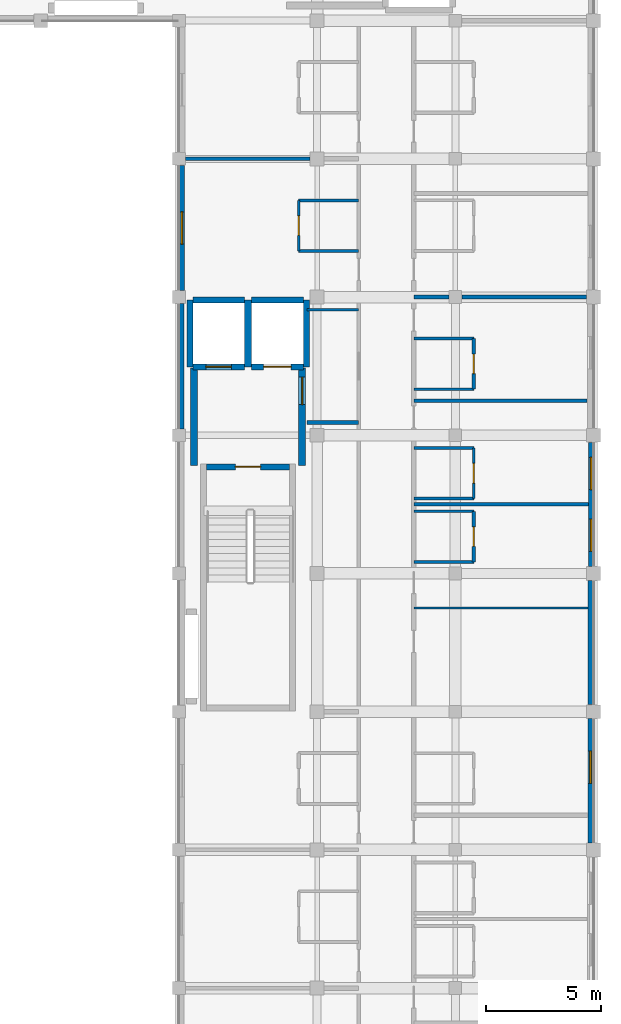
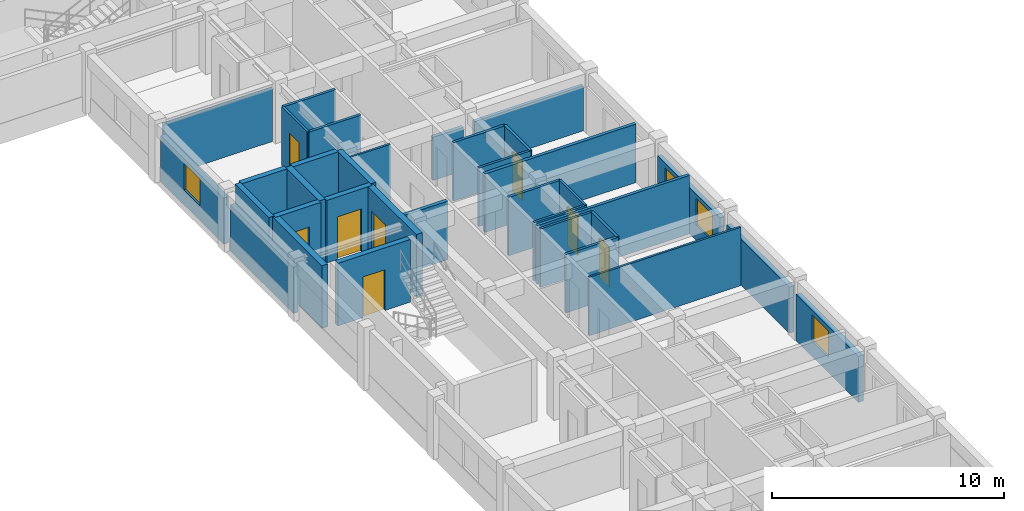
# One storey, part 7 of 22: 35 walls, 8 doors, 4 windows, 12 openings.
"""IFC4 building model written with IfcOpenShell, lengths in metres."""

from ifc_helpers import new_model, si_unit, direction, frame, frame_2d, origin, place, context, subcontext, project, spatial, rectangle, extrude, material, layer, layer_set, type_object, element, fill, save


model = new_model("IFC4")

# Units and contexts
model_context = context("Model", 3, precision=1e-05, world=origin(), true_north=direction((0.0, 1.0)))
body_context = subcontext(model_context, "Body", "Model", "MODEL_VIEW")
ifc_project = project(units=[si_unit("LENGTHUNIT", "METRE"), si_unit("AREAUNIT", "SQUARE_METRE"), si_unit("VOLUMEUNIT", "CUBIC_METRE"), si_unit("PLANEANGLEUNIT", "RADIAN"), si_unit("MASSUNIT", "GRAM", prefix="KILO"), si_unit("THERMODYNAMICTEMPERATUREUNIT", "KELVIN"), si_unit("POWERUNIT", "WATT")], contexts=[model_context])

# Site, building, storey
site_placement = place(None, origin())
site = spatial("IfcSite", under=ifc_project, at=site_placement, CompositionType="ELEMENT")
building_placement = place(site_placement, origin())
building = spatial("IfcBuilding", under=site, at=building_placement, Name="Phaisarnlok Congress Hotel", CompositionType="ELEMENT")
storey_placement = place(building_placement, frame((0.0, 0.0, 28.199951171875)))
storey = spatial("IfcBuildingStorey", under=building, at=storey_placement, Name="L06", CompositionType="ELEMENT", Elevation=28.199951171875)

# Wall, openings, windows
ifc_material_1 = material(Name="Concrete C40/50", Category="concrete")
ifc_layer_1 = layer(ifc_material_1, 0.2099609375, Name="Concrete C40/50")
ifc_layer_set_1 = layer_set([ifc_layer_1], Name="Concrete C40/50")
wall_type_1 = type_object("IfcWallType", Name="WL-EXT-210", PredefinedType="SOLIDWALL", material=ifc_layer_set_1)
wall_1_placement = place(storey_placement, frame((179.89501953125, 84.304931640625, 0.0), z_axis=(0.0, 0.0, 1.0), x_axis=(0.0, 1.0, 0.0)))
wall_1 = element("IfcWall", 1, at=wall_1_placement, inside=storey, type_object=wall_type_1, Name="Exterior wall EW-07 (L06)", PredefinedType="SOLIDWALL", context=body_context, shape_type="SweptSolid", body=[
    extrude(rectangle(XDim=5.39013671875, YDim=0.2099609375, at=frame_2d((2.695068359375, 0.0))), origin(), (0.0, 0.0, 1.0), 2.429931640625),
])
opening_1_placement = place(wall_1_placement, frame((0.656982421875, 0.0, 0.800048828125)))
opening_1 = element("IfcOpeningElement", 2, at=opening_1_placement, cuts=wall_1, Name="Opening W-13", PredefinedType="OPENING", context=body_context, shape_type="SweptSolid", body=[
    extrude(rectangle(XDim=1.39990234375, YDim=1.39990234375, at=frame_2d((0.699951171875, 0.699951171875))), frame((0.0, 0.114990234375, 0.0), z_axis=(0.0, -1.0, 0.0), x_axis=(1.0, 0.0, 0.0)), (0.0, 0.0, 1.0), 0.22998046875),
])
opening_2_placement = place(wall_1_placement, frame((3.33203125, 0.0, 0.800048828125)))
opening_2 = element("IfcOpeningElement", 3, at=opening_2_placement, cuts=wall_1, Name="Opening W-13", PredefinedType="OPENING", context=body_context, shape_type="SweptSolid", body=[
    extrude(rectangle(XDim=1.39990234375, YDim=1.39990234375, at=frame_2d((0.699951171875, 0.699951171875))), frame((0.0, 0.114990234375, 0.0), z_axis=(0.0, -1.0, 0.0), x_axis=(1.0, 0.0, 0.0)), (0.0, 0.0, 1.0), 0.22998046875),
])
ifc_material_2 = material(Name="Thermally Broken Aluminium & Low-E Double Glazing", Category="aluminium")
window_type = type_object("IfcWindowType", Name="WIN-POD-1400", PartitioningType="SINGLE_PANEL", PredefinedType="WINDOW", material=ifc_material_2)
window_1_placement = place(opening_1_placement, origin())
window_1 = element("IfcWindow", 4, at=window_1_placement, inside=storey, type_object=window_type, Name="Guestroom window W-13 (L06)", OverallHeight=1.39990234375, OverallWidth=1.39990234375, PartitioningType="SINGLE_PANEL", PredefinedType="WINDOW", context=body_context, shape_type="SweptSolid", body=[
    extrude(rectangle(XDim=1.39990234375, YDim=1.39990234375, at=frame_2d((0.699951171875, 0.699951171875))), frame((0.0, 0.030029296875, 0.0), z_axis=(0.0, -1.0, 0.0), x_axis=(1.0, 0.0, 0.0)), (0.0, 0.0, 1.0), 0.06005859375),
])
fill(opening_1, window_1)
window_2_placement = place(opening_2_placement, origin())
window_2 = element("IfcWindow", 5, at=window_2_placement, inside=storey, type_object=window_type, Name="Guestroom window W-13 (L06)", OverallHeight=1.39990234375, OverallWidth=1.39990234375, PartitioningType="SINGLE_PANEL", PredefinedType="WINDOW", context=body_context, shape_type="SweptSolid", body=[
    extrude(rectangle(XDim=1.39990234375, YDim=1.39990234375, at=frame_2d((0.699951171875, 0.699951171875))), frame((0.0, 0.030029296875, 0.0), z_axis=(0.0, -1.0, 0.0), x_axis=(1.0, 0.0, 0.0)), (0.0, 0.0, 1.0), 0.06005859375),
])
fill(opening_2, window_2)

# Walls
ifc_layer_2 = layer(ifc_material_1, 0.22998046875, Name="Concrete C40/50")
ifc_layer_set_2 = layer_set([ifc_layer_2], Name="Concrete C40/50")
wall_type_2 = type_object("IfcWallType", Name="WL-EXT-230", PredefinedType="SOLIDWALL", material=ifc_layer_set_2)
wall_2_placement = place(storey_placement, frame((179.885009765625, 78.304931640625, 0.0), z_axis=(0.0, 0.0, 1.0), x_axis=(0.0, 1.0, 0.0)))
element("IfcWall", 6, at=wall_2_placement, inside=storey, type_object=wall_type_2, Name="Exterior wall EW-06 (L06)", PredefinedType="SOLIDWALL", context=body_context, shape_type="SweptSolid", body=[
    extrude(rectangle(XDim=5.39013671875, YDim=0.22998046875, at=frame_2d((2.695068359375, 0.0))), origin(), (0.0, 0.0, 1.0), 2.429931640625),
])
wall_3_placement = place(storey_placement, frame((162.114990234375, 95.719970703125, 0.0), z_axis=(0.0, 0.0, 1.0), x_axis=(0.0, -1.0, 0.0)))
element("IfcWall", 7, at=wall_3_placement, inside=storey, type_object=wall_type_2, Name="Exterior wall EW-06 (L06)", PredefinedType="SOLIDWALL", context=body_context, shape_type="SweptSolid", body=[
    extrude(rectangle(XDim=5.43994140625, YDim=0.22998046875, at=frame_2d((2.719970703125, 0.0))), origin(), (0.0, 0.0, 1.0), 2.429931640625),
])

# Wall, opening, window
ifc_layer_3 = layer(ifc_material_1, 0.25, Name="Concrete C40/50")
ifc_layer_set_3 = layer_set([ifc_layer_3], Name="Concrete C40/50")
wall_type_3 = type_object("IfcWallType", Name="WL-EXT-250", PredefinedType="SOLIDWALL", material=ifc_layer_set_3)
wall_4_placement = place(storey_placement, frame((179.875, 72.304931640625, 0.0), z_axis=(0.0, 0.0, 1.0), x_axis=(0.0, 1.0, 0.0)))
wall_4 = element("IfcWall", 8, at=wall_4_placement, inside=storey, type_object=wall_type_3, Name="Exterior wall EW-05 (L06)", PredefinedType="SOLIDWALL", context=body_context, shape_type="SweptSolid", body=[
    extrude(rectangle(XDim=5.39013671875, YDim=0.25, at=frame_2d((2.695068359375, 0.0))), origin(), (0.0, 0.0, 1.0), 2.429931640625),
])
opening_3_placement = place(wall_4_placement, frame((2.58203125, 0.0, 0.800048828125)))
opening_3 = element("IfcOpeningElement", 9, at=opening_3_placement, cuts=wall_4, Name="Opening W-13", PredefinedType="OPENING", context=body_context, shape_type="SweptSolid", body=[
    extrude(rectangle(XDim=1.39990234375, YDim=1.39990234375, at=frame_2d((0.699951171875, 0.699951171875))), frame((0.0, 0.135009765625, 0.0), z_axis=(0.0, -1.0, 0.0), x_axis=(1.0, 0.0, 0.0)), (0.0, 0.0, 1.0), 0.27001953125),
])
window_3_placement = place(opening_3_placement, origin())
window_3 = element("IfcWindow", 10, at=window_3_placement, inside=storey, type_object=window_type, Name="Guestroom window W-13 (L06)", OverallHeight=1.39990234375, OverallWidth=1.39990234375, PartitioningType="SINGLE_PANEL", PredefinedType="WINDOW", context=body_context, shape_type="SweptSolid", body=[
    extrude(rectangle(XDim=1.39990234375, YDim=1.39990234375, at=frame_2d((0.699951171875, 0.699951171875))), frame((0.0, 0.030029296875, 0.0), z_axis=(0.0, -1.0, 0.0), x_axis=(1.0, 0.0, 0.0)), (0.0, 0.0, 1.0), 0.06005859375),
])
fill(opening_3, window_3)

wall_5_placement = place(storey_placement, frame((162.125, 101.719970703125, 0.0), z_axis=(0.0, 0.0, 1.0), x_axis=(0.0, -1.0, 0.0)))
wall_5 = element("IfcWall", 11, at=wall_5_placement, inside=storey, type_object=wall_type_3, Name="Exterior wall EW-05 (L06)", PredefinedType="SOLIDWALL", context=body_context, shape_type="SweptSolid", body=[
    extrude(rectangle(XDim=5.43994140625, YDim=0.25, at=frame_2d((2.719970703125, 0.0))), origin(), (0.0, 0.0, 1.0), 2.429931640625),
])
opening_4_placement = place(wall_5_placement, frame((2.02001953125, 0.0, 0.800048828125)))
opening_4 = element("IfcOpeningElement", 12, at=opening_4_placement, cuts=wall_5, Name="Opening W-13", PredefinedType="OPENING", context=body_context, shape_type="SweptSolid", body=[
    extrude(rectangle(XDim=1.39990234375, YDim=1.39990234375, at=frame_2d((0.699951171875, 0.699951171875))), frame((0.0, 0.135009765625, 0.0), z_axis=(0.0, -1.0, 0.0), x_axis=(1.0, 0.0, 0.0)), (0.0, 0.0, 1.0), 0.27001953125),
])
window_4_placement = place(opening_4_placement, origin())
window_4 = element("IfcWindow", 13, at=window_4_placement, inside=storey, type_object=window_type, Name="Guestroom window W-13 (L06)", OverallHeight=1.39990234375, OverallWidth=1.39990234375, PartitioningType="SINGLE_PANEL", PredefinedType="WINDOW", context=body_context, shape_type="SweptSolid", body=[
    extrude(rectangle(XDim=1.39990234375, YDim=1.39990234375, at=frame_2d((0.699951171875, 0.699951171875))), frame((0.0, 0.030029296875, 0.0), z_axis=(0.0, -1.0, 0.0), x_axis=(1.0, 0.0, 0.0)), (0.0, 0.0, 1.0), 0.06005859375),
])
fill(opening_4, window_4)

# Walls
ifc_material_3 = material(Name="Service Riser Shaftwall Partition", Category="gypsum")
ifc_layer_4 = layer(ifc_material_3, 0.10498046875, Name="Service Riser Shaftwall Partition")
ifc_layer_set_4 = layer_set([ifc_layer_4], Name="Service Riser Shaftwall Partition")
wall_type_4 = type_object("IfcWallType", Name="WL-INT-105", PredefinedType="PARTITIONING", material=ifc_layer_set_4)
wall_6_placement = place(storey_placement, frame((172.199951171875, 82.5, 0.0), z_axis=(0.0, 0.0, 1.0), x_axis=(1.0, 0.0, 0.0)))
element("IfcWall", 14, at=wall_6_placement, inside=storey, type_object=wall_type_4, Name="Interior partition wall IW-08 (L06)", PredefinedType="PARTITIONING", context=body_context, shape_type="SweptSolid", body=[
    extrude(rectangle(XDim=7.56494140625, YDim=0.10498046875, at=frame_2d((3.782470703125, 0.0))), origin(), (0.0, 0.0, 1.0), 3.080078125),
])
wall_7_placement = place(storey_placement, frame((167.56005859375, 95.449951171875, 0.0), z_axis=(0.0, 0.0, 1.0), x_axis=(1.0, 0.0, 0.0)))
element("IfcWall", 15, at=wall_7_placement, inside=storey, type_object=wall_type_4, Name="Interior partition wall IW-08 (L06)", PredefinedType="PARTITIONING", context=body_context, shape_type="SweptSolid", body=[
    extrude(rectangle(XDim=2.239990234375, YDim=0.10498046875, at=frame_2d((1.1201171875, 0.0))), origin(), (0.0, 0.0, 1.0), 3.080078125),
])

# Wall, opening, door
ifc_material_4 = material(Name="Lightweight Metal-Stud Gypsum Partition", Category="gypsum")
ifc_layer_5 = layer(ifc_material_4, 0.1201171875, Name="Lightweight Metal-Stud Gypsum Partition")
ifc_layer_set_5 = layer_set([ifc_layer_5], Name="Lightweight Metal-Stud Gypsum Partition")
wall_type_5 = type_object("IfcWallType", Name="WL-INT-120", PredefinedType="PARTITIONING", material=ifc_layer_set_5)
wall_8_placement = place(storey_placement, frame((167.199951171875, 98.0, 0.0), z_axis=(0.0, 0.0, 1.0), x_axis=(0.0, 1.0, 0.0)))
wall_8 = element("IfcWall", 16, at=wall_8_placement, inside=storey, type_object=wall_type_5, Name="Interior partition wall IW-07 (L06)", PredefinedType="PARTITIONING", context=body_context, shape_type="SweptSolid", body=[
    extrude(rectangle(XDim=2.199951171875, YDim=0.1201171875, at=frame_2d((1.10009765625, 0.0))), origin(), (0.0, 0.0, 1.0), 3.080078125),
])
opening_5_placement = place(wall_8_placement, frame((0.675048828125, 0.0, 0.0)))
opening_5 = element("IfcOpeningElement", 17, at=opening_5_placement, cuts=wall_8, Name="Opening D-0312", PredefinedType="OPENING", context=body_context, shape_type="SweptSolid", body=[
    extrude(rectangle(XDim=0.85009765625, YDim=2.10009765625, at=frame_2d((0.425048828125, 1.050048828125))), frame((0.0, 0.070068359375, 0.0), z_axis=(0.0, -1.0, 0.0), x_axis=(1.0, 0.0, 0.0)), (0.0, 0.0, 1.0), 0.14013671875),
])
ifc_material_5 = material(Name="Moisture-Resistant Lacquered Timber", Category="wood")
door_type_1 = type_object("IfcDoorType", Name="DR-BATH-850", OperationType="NOTDEFINED", PredefinedType="DOOR", material=ifc_material_5)
door_1_placement = place(opening_5_placement, origin())
door_1 = element("IfcDoor", 18, at=door_1_placement, inside=storey, type_object=door_type_1, Name="Interior door D-0312 (L06)", OperationType="SINGLE_SWING_LEFT", OverallHeight=2.10009765625, OverallWidth=0.85009765625, PredefinedType="DOOR", context=body_context, shape_type="SweptSolid", body=[
    extrude(rectangle(XDim=0.85009765625, YDim=2.10009765625, at=frame_2d((0.425048828125, 1.050048828125))), frame((0.0, 0.02490234375, 0.0), z_axis=(0.0, -1.0, 0.0), x_axis=(1.0, 0.0, 0.0)), (0.0, 0.0, 1.0), 0.050048828125),
])
fill(opening_5, door_1)

wall_9_placement = place(storey_placement, frame((174.800048828125, 87.25, 0.0), z_axis=(0.0, 0.0, 1.0), x_axis=(0.0, 1.0, 0.0)))
wall_9 = element("IfcWall", 19, at=wall_9_placement, inside=storey, type_object=wall_type_5, Name="Interior partition wall IW-07 (L06)", PredefinedType="PARTITIONING", context=body_context, shape_type="SweptSolid", body=[
    extrude(rectangle(XDim=2.199951171875, YDim=0.1201171875, at=frame_2d((1.10009765625, 0.0))), origin(), (0.0, 0.0, 1.0), 3.080078125),
])
opening_6_placement = place(wall_9_placement, frame((0.675048828125, 0.0, 0.0)))
opening_6 = element("IfcOpeningElement", 20, at=opening_6_placement, cuts=wall_9, Name="Opening D-0291", PredefinedType="OPENING", context=body_context, shape_type="SweptSolid", body=[
    extrude(rectangle(XDim=0.85009765625, YDim=2.10009765625, at=frame_2d((0.425048828125, 1.050048828125))), frame((0.0, 0.070068359375, 0.0), z_axis=(0.0, -1.0, 0.0), x_axis=(1.0, 0.0, 0.0)), (0.0, 0.0, 1.0), 0.14013671875),
])
door_2_placement = place(opening_6_placement, origin())
door_2 = element("IfcDoor", 21, at=door_2_placement, inside=storey, type_object=door_type_1, Name="Interior door D-0291 (L06)", OperationType="SINGLE_SWING_RIGHT", OverallHeight=2.10009765625, OverallWidth=0.85009765625, PredefinedType="DOOR", context=body_context, shape_type="SweptSolid", body=[
    extrude(rectangle(XDim=0.85009765625, YDim=2.10009765625, at=frame_2d((0.425048828125, 1.050048828125))), frame((0.0, 0.02490234375, 0.0), z_axis=(0.0, -1.0, 0.0), x_axis=(1.0, 0.0, 0.0)), (0.0, 0.0, 1.0), 0.050048828125),
])
fill(opening_6, door_2)

# Walls
for number, where, z_axis, x_axis, name in (
    (22, (172.199951171875, 86.699951171875, 0.0), (0.0, 0.0, 1.0), (1.0, 0.0, 0.0), "Interior partition wall IW-07 (L06)"),
    (23, (172.199951171875, 87.25, 0.0), (0.0, 0.0, 1.0), (1.0, 0.0, 0.0), "Interior partition wall IW-07 (L06)"),
    (24, (172.199951171875, 92.0, 0.0), (0.0, 0.0, 1.0), (1.0, 0.0, 0.0), "Interior partition wall IW-07 (L06)"),
):
    element("IfcWall", number, at=place(storey_placement, frame(where, z_axis=z_axis, x_axis=x_axis)), inside=storey, type_object=wall_type_5, Name=name, PredefinedType="PARTITIONING", context=body_context, shape_type="SweptSolid", body=[
        extrude(rectangle(XDim=2.60009765625, YDim=0.1201171875, at=frame_2d((1.300048828125, 0.0))), origin(), (0.0, 0.0, 1.0), 3.080078125),
    ])

# Wall, opening, door
ifc_material_6 = material(Name="Moisture-Resistant Gypsum Partition", Category="gypsum")
ifc_layer_6 = layer(ifc_material_6, 0.135009765625, Name="Moisture-Resistant Gypsum Partition")
ifc_layer_set_6 = layer_set([ifc_layer_6], Name="Moisture-Resistant Gypsum Partition")
wall_type_6 = type_object("IfcWallType", Name="WL-INT-135", PredefinedType="PARTITIONING", material=ifc_layer_set_6)
wall_10_placement = place(storey_placement, frame((174.800048828125, 84.5, 0.0), z_axis=(0.0, 0.0, 1.0), x_axis=(0.0, 1.0, 0.0)))
wall_10 = element("IfcWall", 25, at=wall_10_placement, inside=storey, type_object=wall_type_6, Name="Interior partition wall IW-06 (L06)", PredefinedType="PARTITIONING", context=body_context, shape_type="SweptSolid", body=[
    extrude(rectangle(XDim=2.199951171875, YDim=0.135009765625, at=frame_2d((1.10009765625, 0.0))), origin(), (0.0, 0.0, 1.0), 3.080078125),
])
opening_7_placement = place(wall_10_placement, frame((0.675048828125, 0.0, 0.0)))
opening_7 = element("IfcOpeningElement", 26, at=opening_7_placement, cuts=wall_10, Name="Opening D-0289", PredefinedType="OPENING", context=body_context, shape_type="SweptSolid", body=[
    extrude(rectangle(XDim=0.85009765625, YDim=2.10009765625, at=frame_2d((0.425048828125, 1.050048828125))), frame((0.0, 0.07763671875, 0.0), z_axis=(0.0, -1.0, 0.0), x_axis=(1.0, 0.0, 0.0)), (0.0, 0.0, 1.0), 0.155029296875),
])
door_3_placement = place(opening_7_placement, origin())
door_3 = element("IfcDoor", 27, at=door_3_placement, inside=storey, type_object=door_type_1, Name="Interior door D-0289 (L06)", OperationType="SINGLE_SWING_RIGHT", OverallHeight=2.10009765625, OverallWidth=0.85009765625, PredefinedType="DOOR", context=body_context, shape_type="SweptSolid", body=[
    extrude(rectangle(XDim=0.85009765625, YDim=2.10009765625, at=frame_2d((0.425048828125, 1.050048828125))), frame((0.0, 0.02490234375, 0.0), z_axis=(0.0, -1.0, 0.0), x_axis=(1.0, 0.0, 0.0)), (0.0, 0.0, 1.0), 0.050048828125),
])
fill(opening_7, door_3)

wall_11_placement = place(storey_placement, frame((174.800048828125, 92.0, 0.0), z_axis=(0.0, 0.0, 1.0), x_axis=(0.0, 1.0, 0.0)))
wall_11 = element("IfcWall", 28, at=wall_11_placement, inside=storey, type_object=wall_type_6, Name="Interior partition wall IW-06 (L06)", PredefinedType="PARTITIONING", context=body_context, shape_type="SweptSolid", body=[
    extrude(rectangle(XDim=2.199951171875, YDim=0.135009765625, at=frame_2d((1.10009765625, 0.0))), origin(), (0.0, 0.0, 1.0), 3.080078125),
])
opening_8_placement = place(wall_11_placement, frame((0.675048828125, 0.0, 0.0)))
opening_8 = element("IfcOpeningElement", 29, at=opening_8_placement, cuts=wall_11, Name="Opening D-0293", PredefinedType="OPENING", context=body_context, shape_type="SweptSolid", body=[
    extrude(rectangle(XDim=0.85009765625, YDim=2.10009765625, at=frame_2d((0.425048828125, 1.050048828125))), frame((0.0, 0.07763671875, 0.0), z_axis=(0.0, -1.0, 0.0), x_axis=(1.0, 0.0, 0.0)), (0.0, 0.0, 1.0), 0.155029296875),
])
door_4_placement = place(opening_8_placement, origin())
door_4 = element("IfcDoor", 30, at=door_4_placement, inside=storey, type_object=door_type_1, Name="Interior door D-0293 (L06)", OperationType="SINGLE_SWING_RIGHT", OverallHeight=2.10009765625, OverallWidth=0.85009765625, PredefinedType="DOOR", context=body_context, shape_type="SweptSolid", body=[
    extrude(rectangle(XDim=0.85009765625, YDim=2.10009765625, at=frame_2d((0.425048828125, 1.050048828125))), frame((0.0, 0.02490234375, 0.0), z_axis=(0.0, -1.0, 0.0), x_axis=(1.0, 0.0, 0.0)), (0.0, 0.0, 1.0), 0.050048828125),
])
fill(opening_8, door_4)

# Walls
for number, where, z_axis, x_axis, name in (
    (31, (172.199951171875, 84.5, 0.0), (0.0, 0.0, 1.0), (1.0, 0.0, 0.0), "Interior partition wall IW-06 (L06)"),
    (32, (172.199951171875, 89.449951171875, 0.0), (0.0, 0.0, 1.0), (1.0, 0.0, 0.0), "Interior partition wall IW-06 (L06)"),
    (33, (172.199951171875, 94.199951171875, 0.0), (0.0, 0.0, 1.0), (1.0, 0.0, 0.0), "Interior partition wall IW-06 (L06)"),
    (34, (167.199951171875, 98.0, 0.0), (0.0, 0.0, 1.0), (1.0, 0.0, 0.0), "Interior partition wall IW-06 (L06)"),
    (35, (167.199951171875, 100.199951171875, 0.0), (0.0, 0.0, 1.0), (1.0, 0.0, 0.0), "Interior partition wall IW-06 (L06)"),
):
    element("IfcWall", number, at=place(storey_placement, frame(where, z_axis=z_axis, x_axis=x_axis)), inside=storey, type_object=wall_type_6, Name=name, PredefinedType="PARTITIONING", context=body_context, shape_type="SweptSolid", body=[
        extrude(rectangle(XDim=2.60009765625, YDim=0.135009765625, at=frame_2d((1.300048828125, 0.0))), origin(), (0.0, 0.0, 1.0), 3.080078125),
    ])
ifc_material_7 = material(Name="Acoustic Gypsum Board & Mineral Wool", Category="gypsum")
ifc_layer_7 = layer(ifc_material_7, 0.14990234375, Name="Acoustic Gypsum Board & Mineral Wool")
ifc_layer_set_7 = layer_set([ifc_layer_7], Name="Acoustic Gypsum Board & Mineral Wool")
wall_type_7 = type_object("IfcWallType", Name="WL-INT-150", PredefinedType="PARTITIONING", material=ifc_layer_set_7)
wall_12_placement = place(storey_placement, frame((172.199951171875, 87.0, 0.0), z_axis=(0.0, 0.0, 1.0), x_axis=(1.0, 0.0, 0.0)))
element("IfcWall", 36, at=wall_12_placement, inside=storey, type_object=wall_type_7, Name="Interior partition wall IW-05 (L06)", PredefinedType="PARTITIONING", context=body_context, shape_type="SweptSolid", body=[
    extrude(rectangle(XDim=7.5849609375, YDim=0.14990234375, at=frame_2d((3.79248046875, 0.0))), origin(), (0.0, 0.0, 1.0), 3.080078125),
])
wall_13_placement = place(storey_placement, frame((162.280029296875, 102.0, 0.0), z_axis=(0.0, 0.0, 1.0), x_axis=(1.0, 0.0, 0.0)))
element("IfcWall", 37, at=wall_13_placement, inside=storey, type_object=wall_type_7, Name="Interior partition wall IW-05 (L06)", PredefinedType="PARTITIONING", context=body_context, shape_type="SweptSolid", body=[
    extrude(rectangle(XDim=5.4150390625, YDim=0.14990234375, at=frame_2d((2.70751953125, 0.0))), origin(), (0.0, 0.0, 1.0), 2.7900390625),
])
ifc_material_8 = material(Name="Double-Stud Acoustic Gypsum Partition", Category="gypsum")
ifc_layer_8 = layer(ifc_material_8, 0.159912109375, Name="Double-Stud Acoustic Gypsum Partition")
ifc_layer_set_8 = layer_set([ifc_layer_8], Name="Double-Stud Acoustic Gypsum Partition")
wall_type_8 = type_object("IfcWallType", Name="WL-INT-160", PredefinedType="PARTITIONING", material=ifc_layer_set_8)
wall_14_placement = place(storey_placement, frame((172.199951171875, 91.5, 0.0), z_axis=(0.0, 0.0, 1.0), x_axis=(1.0, 0.0, 0.0)))
element("IfcWall", 38, at=wall_14_placement, inside=storey, type_object=wall_type_8, Name="Interior partition wall IW-04 (L06)", PredefinedType="PARTITIONING", context=body_context, shape_type="SweptSolid", body=[
    extrude(rectangle(XDim=7.525146484375, YDim=0.159912109375, at=frame_2d((3.7626953125, 0.0))), origin(), (0.0, 0.0, 1.0), 3.080078125),
])
wall_15_placement = place(storey_placement, frame((174.280029296875, 96.0, 0.0), z_axis=(0.0, 0.0, 1.0), x_axis=(1.0, 0.0, 0.0)))
element("IfcWall", 39, at=wall_15_placement, inside=storey, type_object=wall_type_8, Name="Interior partition wall IW-04 (L06)", PredefinedType="PARTITIONING", context=body_context, shape_type="SweptSolid", body=[
    extrude(rectangle(XDim=5.4150390625, YDim=0.159912109375, at=frame_2d((2.70751953125, 0.0))), origin(), (0.0, 0.0, 1.0), 2.380126953125),
])
ifc_material_9 = material(Name="Autoclaved Aerated Concrete Block", Category="concrete")
ifc_layer_9 = layer(ifc_material_9, 0.179931640625, Name="Autoclaved Aerated Concrete Block")
ifc_layer_set_9 = layer_set([ifc_layer_9], Name="Autoclaved Aerated Concrete Block")
wall_type_9 = type_object("IfcWallType", Name="WL-INT-180", PredefinedType="PARTITIONING", material=ifc_layer_set_9)
wall_16_placement = place(storey_placement, frame((167.56005859375, 90.550048828125, 0.0), z_axis=(0.0, 0.0, 1.0), x_axis=(1.0, 0.0, 0.0)))
element("IfcWall", 40, at=wall_16_placement, inside=storey, type_object=wall_type_9, Name="Interior partition wall IW-03 (L06)", PredefinedType="PARTITIONING", context=body_context, shape_type="SweptSolid", body=[
    extrude(rectangle(XDim=2.239990234375, YDim=0.179931640625, at=frame_2d((1.1201171875, 0.0))), origin(), (0.0, 0.0, 1.0), 3.080078125),
])
wall_17_placement = place(storey_placement, frame((172.199951171875, 96.0, 0.0), z_axis=(0.0, 0.0, 1.0), x_axis=(1.0, 0.0, 0.0)))
element("IfcWall", 41, at=wall_17_placement, inside=storey, type_object=wall_type_9, Name="Interior partition wall IW-03 (L06)", PredefinedType="PARTITIONING", context=body_context, shape_type="SweptSolid", body=[
    extrude(rectangle(XDim=1.52001953125, YDim=0.179931640625, at=frame_2d((0.760009765625, 0.0))), origin(), (0.0, 0.0, 1.0), 2.280029296875),
])

# Wall, opening, door
ifc_material_10 = material(Name="Concrete C50/60", Category="concrete")
ifc_layer_10 = layer(ifc_material_10, 0.260009765625, Name="Concrete C50/60")
ifc_layer_set_10 = layer_set([ifc_layer_10], Name="Concrete C50/60")
wall_type_10 = type_object("IfcWallType", Name="WL-SHR-260", PredefinedType="SHEAR", material=ifc_layer_set_10)
wall_18_placement = place(storey_placement, frame((163.199951171875, 88.6298828125, 0.0), z_axis=(0.0, 0.0, 1.0), x_axis=(1.0, 0.0, 0.0)))
wall_18 = element("IfcWall", 42, at=wall_18_placement, inside=storey, type_object=wall_type_10, Name="Stair shaft shear wall SW-04 (CORE-3 L06)", PredefinedType="SHEAR", context=body_context, shape_type="SweptSolid", body=[
    extrude(rectangle(XDim=3.60009765625, YDim=0.260009765625, at=frame_2d((1.800048828125, 0.0))), origin(), (0.0, 0.0, 1.0), 3.300048828125),
])
opening_9_placement = place(wall_18_placement, frame((1.25, 0.0, 0.0)))
opening_9 = element("IfcOpeningElement", 43, at=opening_9_placement, cuts=wall_18, Name="Opening FD-068", PredefinedType="OPENING", context=body_context, shape_type="SweptSolid", body=[
    extrude(rectangle(XDim=1.10009765625, YDim=2.14990234375, at=frame_2d((0.550048828125, 1.074951171875))), frame((0.0, 0.14013671875, 0.0), z_axis=(0.0, -1.0, 0.0), x_axis=(1.0, 0.0, 0.0)), (0.0, 0.0, 1.0), 0.280029296875),
])
ifc_material_11 = material(Name="Fire-Rated Steel Frame & Timber Leaf", Category="steel")
door_type_2 = type_object("IfcDoorType", Name="DR-FD60-1100", OperationType="NOTDEFINED", PredefinedType="DOOR", material=ifc_material_11)
door_5_placement = place(opening_9_placement, origin())
door_5 = element("IfcDoor", 44, at=door_5_placement, inside=storey, type_object=door_type_2, Name="Stair enclosure fire door FD-068 (L06)", OperationType="SINGLE_SWING_LEFT", OverallHeight=2.14990234375, OverallWidth=1.10009765625, PredefinedType="DOOR", context=body_context, shape_type="SweptSolid", body=[
    extrude(rectangle(XDim=1.10009765625, YDim=2.14990234375, at=frame_2d((0.550048828125, 1.074951171875))), frame((0.0, 0.02490234375, 0.0), z_axis=(0.0, -1.0, 0.0), x_axis=(1.0, 0.0, 0.0)), (0.0, 0.0, 1.0), 0.050048828125),
])
fill(opening_9, door_5)

# Walls
wall_19_placement = place(storey_placement, frame((162.469970703125, 92.969970703125, 0.0), z_axis=(0.0, 0.0, 1.0), x_axis=(0.0, 1.0, 0.0)))
element("IfcWall", 45, at=wall_19_placement, inside=storey, type_object=wall_type_10, Name="Lift shaft shear wall SW-04 (LF-HP3 L06)", PredefinedType="SHEAR", context=body_context, shape_type="SweptSolid", body=[
    extrude(rectangle(XDim=2.909912109375, YDim=0.260009765625, at=frame_2d((1.455078125, 0.0))), origin(), (0.0, 0.0, 1.0), 3.300048828125),
])
wall_20_placement = place(storey_placement, frame((162.60009765625, 95.8798828125, 0.0), z_axis=(0.0, 0.0, 1.0), x_axis=(1.0, 0.0, 0.0)))
element("IfcWall", 46, at=wall_20_placement, inside=storey, type_object=wall_type_10, Name="Lift shaft shear wall SW-04 (LF-HP3 L06)", PredefinedType="SHEAR", context=body_context, shape_type="SweptSolid", body=[
    extrude(rectangle(XDim=2.25, YDim=0.260009765625, at=frame_2d((1.125, 0.0))), origin(), (0.0, 0.0, 1.0), 3.300048828125),
])

# Wall, opening, door
wall_21_placement = place(storey_placement, frame((162.60009765625, 92.969970703125, 0.0), z_axis=(0.0, 0.0, 1.0), x_axis=(1.0, 0.0, 0.0)))
wall_21 = element("IfcWall", 47, at=wall_21_placement, inside=storey, type_object=wall_type_10, Name="Lift shaft front wall SW-04 (LF-HP3 L06)", PredefinedType="SHEAR", context=body_context, shape_type="SweptSolid", body=[
    extrude(rectangle(XDim=2.25, YDim=0.260009765625, at=frame_2d((1.125, 0.0))), origin(), (0.0, 0.0, 1.0), 3.300048828125),
])
opening_10_placement = place(wall_21_placement, frame((0.574951171875, 0.0, 0.0)))
opening_10 = element("IfcOpeningElement", 48, at=opening_10_placement, cuts=wall_21, Name="Opening LD-068", PredefinedType="OPENING", context=body_context, shape_type="SweptSolid", body=[
    extrude(rectangle(XDim=1.10009765625, YDim=2.199951171875, at=frame_2d((0.550048828125, 1.10009765625))), frame((0.0, 0.14013671875, 0.0), z_axis=(0.0, -1.0, 0.0), x_axis=(1.0, 0.0, 0.0)), (0.0, 0.0, 1.0), 0.280029296875),
])
ifc_material_12 = material(Name="Brushed Stainless Steel Grade 304", Category="steel")
door_type_3 = type_object("IfcDoorType", Name="DR-LD-1100", OperationType="DOUBLE_DOOR_SLIDING", PredefinedType="DOOR", material=ifc_material_12)
door_6_placement = place(opening_10_placement, origin())
door_6 = element("IfcDoor", 49, at=door_6_placement, inside=storey, type_object=door_type_3, Name="Lift landing sliding door LD-068 (LF-HP3 L06)", OperationType="DOUBLE_DOOR_SLIDING", OverallHeight=2.199951171875, OverallWidth=1.10009765625, PredefinedType="DOOR", context=body_context, shape_type="SweptSolid", body=[
    extrude(rectangle(XDim=1.10009765625, YDim=2.199951171875, at=frame_2d((0.550048828125, 1.10009765625))), frame((0.0, 0.02490234375, 0.0), z_axis=(0.0, -1.0, 0.0), x_axis=(1.0, 0.0, 0.0)), (0.0, 0.0, 1.0), 0.050048828125),
])
fill(opening_10, door_6)

# Walls
wall_22_placement = place(storey_placement, frame((167.530029296875, 92.969970703125, 0.0), z_axis=(0.0, 0.0, 1.0), x_axis=(0.0, 1.0, 0.0)))
element("IfcWall", 50, at=wall_22_placement, inside=storey, type_object=wall_type_10, Name="Lift shaft shear wall SW-04 (LF-SV1 L06)", PredefinedType="SHEAR", context=body_context, shape_type="SweptSolid", body=[
    extrude(rectangle(XDim=2.909912109375, YDim=0.260009765625, at=frame_2d((1.455078125, 0.0))), origin(), (0.0, 0.0, 1.0), 3.300048828125),
])
wall_23_placement = place(storey_placement, frame((165.14990234375, 95.8798828125, 0.0), z_axis=(0.0, 0.0, 1.0), x_axis=(1.0, 0.0, 0.0)))
element("IfcWall", 51, at=wall_23_placement, inside=storey, type_object=wall_type_10, Name="Lift shaft shear wall SW-04 (LF-SV1 L06)", PredefinedType="SHEAR", context=body_context, shape_type="SweptSolid", body=[
    extrude(rectangle(XDim=2.25, YDim=0.260009765625, at=frame_2d((1.125, 0.0))), origin(), (0.0, 0.0, 1.0), 3.300048828125),
])

# Wall, opening, door
wall_24_placement = place(storey_placement, frame((165.14990234375, 92.969970703125, 0.0), z_axis=(0.0, 0.0, 1.0), x_axis=(1.0, 0.0, 0.0)))
wall_24 = element("IfcWall", 52, at=wall_24_placement, inside=storey, type_object=wall_type_10, Name="Lift shaft front wall SW-04 (LF-SV1 L06)", PredefinedType="SHEAR", context=body_context, shape_type="SweptSolid", body=[
    extrude(rectangle(XDim=2.25, YDim=0.260009765625, at=frame_2d((1.125, 0.0))), origin(), (0.0, 0.0, 1.0), 3.300048828125),
])
opening_11_placement = place(wall_24_placement, frame((0.52490234375, 0.0, 0.0)))
opening_11 = element("IfcOpeningElement", 53, at=opening_11_placement, cuts=wall_24, Name="Opening LD-083", PredefinedType="OPENING", context=body_context, shape_type="SweptSolid", body=[
    extrude(rectangle(XDim=1.199951171875, YDim=2.25, at=frame_2d((0.60009765625, 1.125))), frame((0.0, 0.14013671875, 0.0), z_axis=(0.0, -1.0, 0.0), x_axis=(1.0, 0.0, 0.0)), (0.0, 0.0, 1.0), 0.280029296875),
])
door_type_4 = type_object("IfcDoorType", Name="DR-LD-1200", OperationType="DOUBLE_DOOR_SLIDING", PredefinedType="DOOR", material=ifc_material_12)
door_7_placement = place(opening_11_placement, origin())
door_7 = element("IfcDoor", 54, at=door_7_placement, inside=storey, type_object=door_type_4, Name="Lift landing sliding door LD-083 (LF-SV1 L06)", OperationType="DOUBLE_DOOR_SLIDING", OverallHeight=2.25, OverallWidth=1.199951171875, PredefinedType="DOOR", context=body_context, shape_type="SweptSolid", body=[
    extrude(rectangle(XDim=1.199951171875, YDim=2.25, at=frame_2d((0.60009765625, 1.125))), frame((0.0, 0.02490234375, 0.0), z_axis=(0.0, -1.0, 0.0), x_axis=(1.0, 0.0, 0.0)), (0.0, 0.0, 1.0), 0.050048828125),
])
fill(opening_11, door_7)

# Wall
ifc_layer_11 = layer(ifc_material_10, 0.300048828125, Name="Concrete C50/60")
ifc_layer_set_11 = layer_set([ifc_layer_11], Name="Concrete C50/60")
wall_type_11 = type_object("IfcWallType", Name="WL-SHR-300", PredefinedType="SHEAR", material=ifc_layer_set_11)
wall_25_placement = place(storey_placement, frame((165.0, 92.969970703125, 0.0), z_axis=(0.0, 0.0, 1.0), x_axis=(0.0, 1.0, 0.0)))
element("IfcWall", 55, at=wall_25_placement, inside=storey, type_object=wall_type_11, Name="Lift shaft divider shear wall SW-03 (LF-HP3 L06)", PredefinedType="SHEAR", context=body_context, shape_type="SweptSolid", body=[
    extrude(rectangle(XDim=2.909912109375, YDim=0.300048828125, at=frame_2d((1.455078125, 0.0))), origin(), (0.0, 0.0, 1.0), 3.300048828125),
])

# Wall, opening, door
wall_26_placement = place(storey_placement, frame((167.35009765625, 88.679931640625, 0.0), z_axis=(0.0, 0.0, 1.0), x_axis=(0.0, 1.0, 0.0)))
wall_26 = element("IfcWall", 56, at=wall_26_placement, inside=storey, type_object=wall_type_11, Name="Core lobby EI-120 wall SW-03 (CORE-3 L06)", PredefinedType="SHEAR", context=body_context, shape_type="SweptSolid", body=[
    extrude(rectangle(XDim=4.239990234375, YDim=0.300048828125, at=frame_2d((2.1201171875, 0.0))), origin(), (0.0, 0.0, 1.0), 3.300048828125),
])
opening_12_placement = place(wall_26_placement, frame((2.64990234375, 0.0, 0.0)))
opening_12 = element("IfcOpeningElement", 57, at=opening_12_placement, cuts=wall_26, Name="Opening FD-083", PredefinedType="OPENING", context=body_context, shape_type="SweptSolid", body=[
    extrude(rectangle(XDim=1.199951171875, YDim=2.199951171875, at=frame_2d((0.60009765625, 1.10009765625))), frame((0.0, 0.16015625, 0.0), z_axis=(0.0, -1.0, 0.0), x_axis=(1.0, 0.0, 0.0)), (0.0, 0.0, 1.0), 0.320068359375),
])
door_type_5 = type_object("IfcDoorType", Name="DR-FD60-1200", OperationType="NOTDEFINED", PredefinedType="DOOR", material=ifc_material_11)
door_8_placement = place(opening_12_placement, origin())
door_8 = element("IfcDoor", 58, at=door_8_placement, inside=storey, type_object=door_type_5, Name="Core lobby entrance door FD-083 (CORE-3 L06)", OperationType="SINGLE_SWING_RIGHT", OverallHeight=2.199951171875, OverallWidth=1.199951171875, PredefinedType="DOOR", context=body_context, shape_type="SweptSolid", body=[
    extrude(rectangle(XDim=1.199951171875, YDim=2.199951171875, at=frame_2d((0.60009765625, 1.10009765625))), frame((0.0, 0.02490234375, 0.0), z_axis=(0.0, -1.0, 0.0), x_axis=(1.0, 0.0, 0.0)), (0.0, 0.0, 1.0), 0.050048828125),
])
fill(opening_12, door_8)

# Wall
wall_27_placement = place(storey_placement, frame((162.64990234375, 88.679931640625, 0.0), z_axis=(0.0, 0.0, 1.0), x_axis=(0.0, 1.0, 0.0)))
element("IfcWall", 59, at=wall_27_placement, inside=storey, type_object=wall_type_11, Name="Core lobby EI-120 wall SW-03 (CORE-3 L06)", PredefinedType="SHEAR", context=body_context, shape_type="SweptSolid", body=[
    extrude(rectangle(XDim=4.239990234375, YDim=0.300048828125, at=frame_2d((2.1201171875, 0.0))), origin(), (0.0, 0.0, 1.0), 3.300048828125),
])

save(model, "model.ifc")
